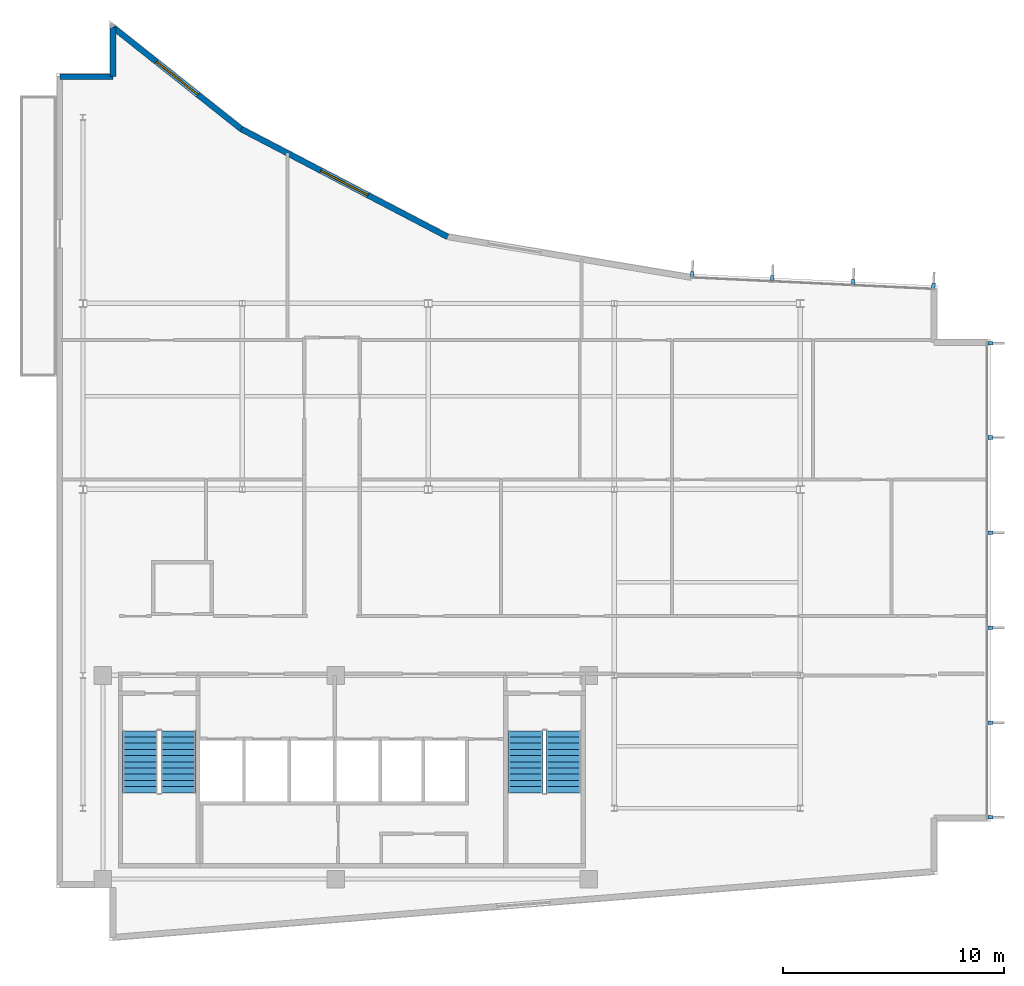
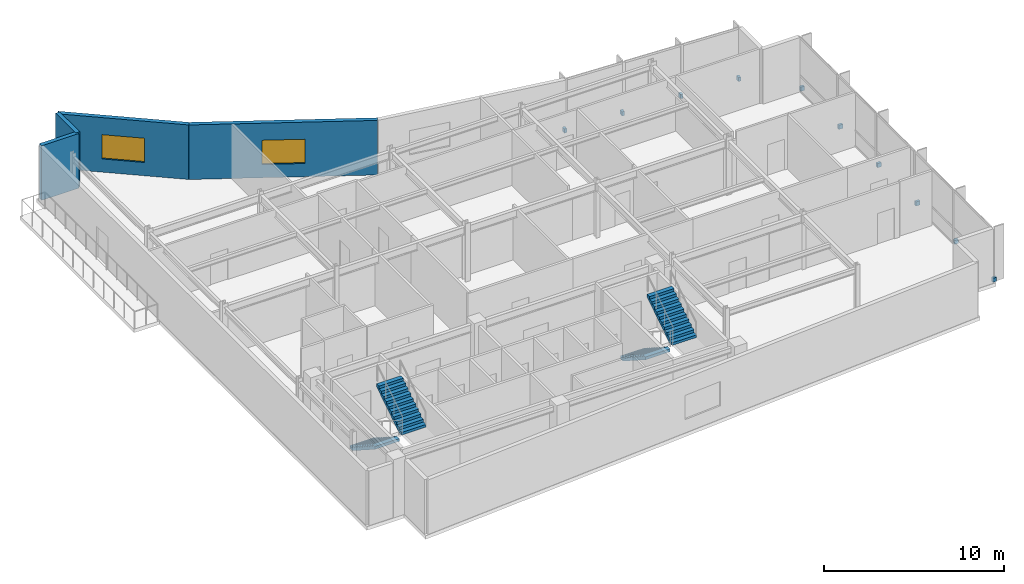
# One storey, part 13 of 16: 10 discrete accessories, 4 stair flights, 4 walls, 2 windows, 2 openings, 2 elements without a shape of their own.
"""IFC4 building model written with IfcOpenShell, lengths in metres."""

from ifc_helpers import new_model, si_unit, direction, frame, frame_2d, origin, origin_2d, place, context, subcontext, project, spatial, polyline, rectangle, outline, extrude, material, layer, layer_set, type_object, element, fill, aggregate, save


model = new_model("IFC4")

# Units and contexts
model_context = context("Model", 3, precision=1e-05, world=origin(), true_north=direction((0.0, 1.0)))
body_context = subcontext(model_context, "Body", "Model", "MODEL_VIEW")
ifc_project = project(units=[si_unit("LENGTHUNIT", "METRE"), si_unit("AREAUNIT", "SQUARE_METRE"), si_unit("VOLUMEUNIT", "CUBIC_METRE"), si_unit("PLANEANGLEUNIT", "RADIAN"), si_unit("MASSUNIT", "GRAM", prefix="KILO")], contexts=[model_context])

# Site, building, storey
site_placement = place(None, origin())
site = spatial("IfcSite", under=ifc_project, at=site_placement, CompositionType="ELEMENT")
building_placement = place(site_placement, origin())
building = spatial("IfcBuilding", under=site, at=building_placement, Name="Varnakote Quay Hospital", CompositionType="ELEMENT")
storey_placement = place(building_placement, frame((0.0, 0.0, 264.449951171875)))
storey = spatial("IfcBuildingStorey", under=building, at=storey_placement, Name="L65", CompositionType="ELEMENT", Elevation=264.449951171875)

# Wall, opening, window
ifc_material_1 = material(Name="Precast concrete N50 (f'c 50 MPa)", Category="concrete")
ifc_layer_1 = layer(ifc_material_1, 0.260009765625)
ifc_layer_set_1 = layer_set([ifc_layer_1], Name="Precast concrete N50 (f'c 50 MPa)")
wall_type = type_object("IfcWallType", Name="WL-EXT-BRICK-260", PredefinedType="STANDARD", material=ifc_layer_set_1)
wall_1_placement = place(storey_placement, frame((17.672607421875, 31.806396484375, 0.0), z_axis=(0.0, 0.0, 1.0), x_axis=(-0.886426635565, 0.462869117311, 0.0)))
wall_1 = element("IfcWall", 1, at=wall_1_placement, inside=storey, type_object=wall_type, Name="L65 Brick-Faced Precast Exterior Wall", PredefinedType="STANDARD", context=body_context, shape_type="SweptSolid", body=[
    extrude(rectangle(XDim=10.51416015625, YDim=0.260009765625, at=frame_2d((5.257080078125, 0.0))), origin(), (0.0, 0.0, 1.0), 3.7099609375),
])
opening_1_placement = place(wall_1_placement, frame((4.05712890625, 0.0, 0.89990234375)))
opening_1 = element("IfcOpeningElement", 2, at=opening_1_placement, cuts=wall_1, Name="Opening WN-0264", PredefinedType="OPENING", context=body_context, shape_type="SweptSolid", body=[
    extrude(rectangle(XDim=2.39990234375, YDim=1.64990234375, at=frame_2d((1.199951171875, 0.824951171875))), frame((0.0, 0.139892578125, 0.0), z_axis=(0.0, -1.0, 0.0), x_axis=(1.0, 0.0, 0.0)), (0.0, 0.0, 1.0), 0.280029296875),
])
ifc_material_2 = material(Name="Double-glazed low-E solar glass", Category="glass")
window_type = type_object("IfcWindowType", Name="WIN-CLIN-2400x1650", PartitioningType="SINGLE_PANEL", PredefinedType="WINDOW", material=ifc_material_2)
window_1_placement = place(opening_1_placement, origin())
window_1 = element("IfcWindow", 3, at=window_1_placement, inside=storey, type_object=window_type, Name="L65 Solar-Control Clinical Window", OverallHeight=1.64990234375, OverallWidth=2.39990234375, PartitioningType="SINGLE_PANEL", PredefinedType="WINDOW", context=body_context, shape_type="SweptSolid", body=[
    extrude(rectangle(XDim=2.39990234375, YDim=1.64990234375, at=frame_2d((1.199951171875, 0.824951171875))), frame((0.0, 0.030029296875, 0.0), z_axis=(0.0, -1.0, 0.0), x_axis=(1.0, 0.0, 0.0)), (0.0, 0.0, 1.0), 0.06005859375),
])
fill(opening_1, window_1)

wall_2_placement = place(storey_placement, frame((8.3525390625, 36.673095703125, 0.0), z_axis=(0.0, 0.0, 1.0), x_axis=(-0.783387911746, 0.621533088203, 0.0)))
wall_2 = element("IfcWall", 4, at=wall_2_placement, inside=storey, type_object=wall_type, Name="L65 Brick-Faced Precast Exterior Wall", PredefinedType="STANDARD", context=body_context, shape_type="SweptSolid", body=[
    extrude(rectangle(XDim=7.39404296875, YDim=0.260009765625, at=frame_2d((3.697021484375, 0.0))), origin(), (0.0, 0.0, 1.0), 3.7099609375),
])
opening_2_placement = place(wall_2_placement, frame((2.4970703125, 0.0, 0.89990234375)))
opening_2 = element("IfcOpeningElement", 5, at=opening_2_placement, cuts=wall_2, Name="Opening WN-0265", PredefinedType="OPENING", context=body_context, shape_type="SweptSolid", body=[
    extrude(rectangle(XDim=2.39990234375, YDim=1.64990234375, at=frame_2d((1.199951171875, 0.824951171875))), frame((0.0, 0.139892578125, 0.0), z_axis=(0.0, -1.0, 0.0), x_axis=(1.0, 0.0, 0.0)), (0.0, 0.0, 1.0), 0.280029296875),
])
window_2_placement = place(opening_2_placement, origin())
window_2 = element("IfcWindow", 6, at=window_2_placement, inside=storey, type_object=window_type, Name="L65 Solar-Control Clinical Window", OverallHeight=1.64990234375, OverallWidth=2.39990234375, PartitioningType="SINGLE_PANEL", PredefinedType="WINDOW", context=body_context, shape_type="SweptSolid", body=[
    extrude(rectangle(XDim=2.39990234375, YDim=1.64990234375, at=frame_2d((1.199951171875, 0.824951171875))), frame((0.0, 0.030029296875, 0.0), z_axis=(0.0, -1.0, 0.0), x_axis=(1.0, 0.0, 0.0)), (0.0, 0.0, 1.0), 0.06005859375),
])
fill(opening_2, window_2)

# Walls
wall_3_placement = place(storey_placement, frame((2.56005859375, 41.268798828125, 0.0), z_axis=(0.0, 0.0, 1.0), x_axis=(0.0, -1.0, 0.0)))
element("IfcWall", 7, at=wall_3_placement, inside=storey, type_object=wall_type, Name="L65 Brick-Faced Precast Exterior Wall", PredefinedType="STANDARD", context=body_context, shape_type="SweptSolid", body=[
    extrude(rectangle(XDim=2.228759765625, YDim=0.260009765625, at=frame_2d((1.1142578125, 0.0))), origin(), (0.0, 0.0, 1.0), 3.7099609375),
])
wall_4_placement = place(storey_placement, frame((2.56005859375, 39.0400390625, 0.0), z_axis=(0.0, 0.0, 1.0), x_axis=(-1.0, 0.0, 0.0)))
element("IfcWall", 8, at=wall_4_placement, inside=storey, type_object=wall_type, Name="L65 Brick-Faced Precast Exterior Wall", PredefinedType="STANDARD", context=body_context, shape_type="SweptSolid", body=[
    extrude(rectangle(XDim=2.400146484375, YDim=0.260009765625, at=frame_2d((1.2001953125, 0.0))), origin(), (0.0, 0.0, 1.0), 3.7099609375),
])

# Stair, stair flights
ifc_material_3 = material(Name="Concrete N40 (f'c 40 MPa)", Category="concrete")
stair_type = type_object("IfcStairType", Name="STR-CORE-1580", PredefinedType="HALF_TURN_STAIR", material=ifc_material_3)
stair_1_placement = place(storey_placement, origin())
stair_1 = element("IfcStair", 9, at=stair_1_placement, inside=storey, type_object=stair_type, Name="L65 Fire-Isolated Exit Stair ST-01", PredefinedType="HALF_TURN_STAIR")
ifc_material_4 = material(Name="Concrete N40 (f'c 40 MPa)", Category="concrete")
ifc_layer_2 = layer(ifc_material_4, 0.159912109375)
ifc_layer_set_2 = layer_set([ifc_layer_2], Name="Concrete N40 (f'c 40 MPa)")
stair_flight_type = type_object("IfcStairFlightType", Name="FLT-CORE-1580", PredefinedType="STRAIGHT", material=ifc_layer_set_2)
stair_flight_1_placement = place(storey_placement, frame((3.7900390625, 9.5, 0.0), z_axis=(0.0, 0.0, 1.0), x_axis=(0.0, -1.0, 0.0)))
stair_flight_1 = element("IfcStairFlight", 10, at=stair_flight_1_placement, type_object=stair_flight_type, Name="ST-01 flight 1", NumberOfRisers=11, NumberOfTreads=10, PredefinedType="STRAIGHT", RiserHeight=0.179545455, TreadLength=0.28, context=body_context, shape_type="SweptSolid", body=[
    extrude(outline(polyline([(0.0, 0.0), (0.0, 0.179443359375), (0.280029296875, 0.179443359375), (0.280029296875, 0.359130859375), (0.56005859375, 0.359130859375), (0.56005859375, 0.53857421875), (0.840087890625, 0.53857421875), (0.840087890625, 0.71826171875), (1.1201171875, 0.71826171875), (1.1201171875, 0.897705078125), (1.39990234375, 0.897705078125), (1.39990234375, 1.077392578125), (1.679931640625, 1.077392578125), (1.679931640625, 1.2568359375), (1.9599609375, 1.2568359375), (1.9599609375, 1.436279296875), (2.239990234375, 1.436279296875), (2.239990234375, 1.615966796875), (2.52001953125, 1.615966796875), (2.52001953125, 1.79541015625), (2.800048828125, 1.79541015625), (2.800048828125, 1.97509765625), (2.800048828125, 1.60546875), (0.296142578125, 0.0), (0.0, 0.0)])), frame((0.0, 0.7900390625, 0.0), z_axis=(0.0, -1.0, 0.0), x_axis=(1.0, 0.0, 0.0)), (0.0, 0.0, 1.0), 1.580078125),
])
stair_flight_2_placement = place(storey_placement, frame((5.510009765625, 6.699951171875, 1.97509765625), z_axis=(0.0, 0.0, 1.0), x_axis=(0.0, 1.0, 0.0)))
stair_flight_2 = element("IfcStairFlight", 11, at=stair_flight_2_placement, type_object=stair_flight_type, Name="ST-01 flight 2", NumberOfRisers=11, NumberOfTreads=10, PredefinedType="STRAIGHT", RiserHeight=0.179545455, TreadLength=0.28, context=body_context, shape_type="SweptSolid", body=[
    extrude(outline(polyline([(0.0, 0.0), (0.0, 0.179443359375), (0.280029296875, 0.179443359375), (0.280029296875, 0.359130859375), (0.56005859375, 0.359130859375), (0.56005859375, 0.53857421875), (0.840087890625, 0.53857421875), (0.840087890625, 0.71826171875), (1.1201171875, 0.71826171875), (1.1201171875, 0.897705078125), (1.39990234375, 0.897705078125), (1.39990234375, 1.077392578125), (1.679931640625, 1.077392578125), (1.679931640625, 1.2568359375), (1.9599609375, 1.2568359375), (1.9599609375, 1.436279296875), (2.239990234375, 1.436279296875), (2.239990234375, 1.615966796875), (2.52001953125, 1.615966796875), (2.52001953125, 1.79541015625), (2.800048828125, 1.79541015625), (2.800048828125, 1.97509765625), (2.800048828125, 1.60546875), (0.296142578125, 0.0), (0.0, 0.0)])), frame((0.0, 0.7900390625, 0.0), z_axis=(0.0, -1.0, 0.0), x_axis=(1.0, 0.0, 0.0)), (0.0, 0.0, 1.0), 1.580078125),
])
aggregate(stair_1, [stair_flight_1, stair_flight_2])

stair_2_placement = place(storey_placement, origin())
stair_2 = element("IfcStair", 12, at=stair_2_placement, inside=storey, type_object=stair_type, Name="L65 Fire-Isolated Exit Stair ST-02", PredefinedType="HALF_TURN_STAIR")
stair_flight_3_placement = place(storey_placement, frame((21.18994140625, 9.5, 0.0), z_axis=(0.0, 0.0, 1.0), x_axis=(0.0, -1.0, 0.0)))
stair_flight_3 = element("IfcStairFlight", 13, at=stair_flight_3_placement, type_object=stair_flight_type, Name="ST-02 flight 1", NumberOfRisers=11, NumberOfTreads=10, PredefinedType="STRAIGHT", RiserHeight=0.179545455, TreadLength=0.28, context=body_context, shape_type="SweptSolid", body=[
    extrude(outline(polyline([(0.0, 0.0), (0.0, 0.179443359375), (0.280029296875, 0.179443359375), (0.280029296875, 0.359130859375), (0.56005859375, 0.359130859375), (0.56005859375, 0.53857421875), (0.840087890625, 0.53857421875), (0.840087890625, 0.71826171875), (1.1201171875, 0.71826171875), (1.1201171875, 0.897705078125), (1.39990234375, 0.897705078125), (1.39990234375, 1.077392578125), (1.679931640625, 1.077392578125), (1.679931640625, 1.2568359375), (1.9599609375, 1.2568359375), (1.9599609375, 1.436279296875), (2.239990234375, 1.436279296875), (2.239990234375, 1.615966796875), (2.52001953125, 1.615966796875), (2.52001953125, 1.79541015625), (2.800048828125, 1.79541015625), (2.800048828125, 1.97509765625), (2.800048828125, 1.60546875), (0.296142578125, 0.0), (0.0, 0.0)])), frame((0.0, 0.7900390625, 0.0), z_axis=(0.0, -1.0, 0.0), x_axis=(1.0, 0.0, 0.0)), (0.0, 0.0, 1.0), 1.580078125),
])
stair_flight_4_placement = place(storey_placement, frame((22.909912109375, 6.699951171875, 1.97509765625), z_axis=(0.0, 0.0, 1.0), x_axis=(0.0, 1.0, 0.0)))
stair_flight_4 = element("IfcStairFlight", 14, at=stair_flight_4_placement, type_object=stair_flight_type, Name="ST-02 flight 2", NumberOfRisers=11, NumberOfTreads=10, PredefinedType="STRAIGHT", RiserHeight=0.179545455, TreadLength=0.28, context=body_context, shape_type="SweptSolid", body=[
    extrude(outline(polyline([(0.0, 0.0), (0.0, 0.179443359375), (0.280029296875, 0.179443359375), (0.280029296875, 0.359130859375), (0.56005859375, 0.359130859375), (0.56005859375, 0.53857421875), (0.840087890625, 0.53857421875), (0.840087890625, 0.71826171875), (1.1201171875, 0.71826171875), (1.1201171875, 0.897705078125), (1.39990234375, 0.897705078125), (1.39990234375, 1.077392578125), (1.679931640625, 1.077392578125), (1.679931640625, 1.2568359375), (1.9599609375, 1.2568359375), (1.9599609375, 1.436279296875), (2.239990234375, 1.436279296875), (2.239990234375, 1.615966796875), (2.52001953125, 1.615966796875), (2.52001953125, 1.79541015625), (2.800048828125, 1.79541015625), (2.800048828125, 1.97509765625), (2.800048828125, 1.60546875), (0.296142578125, 0.0), (0.0, 0.0)])), frame((0.0, 0.7900390625, 0.0), z_axis=(0.0, -1.0, 0.0), x_axis=(1.0, 0.0, 0.0)), (0.0, 0.0, 1.0), 1.580078125),
])
aggregate(stair_2, [stair_flight_3, stair_flight_4])

# Discrete accessories
ifc_material_5 = material(Name="Anodised aluminium 6063-T6 Bronze", Category="aluminium")
discrete_accessory_type = type_object("IfcDiscreteAccessoryType", Name="ACC-FIN-BRACKET-180", PredefinedType="BRACKET", material=ifc_material_5)
for number, where, z_axis, x_axis, name in (
    (15, (42.18994140625, 5.592529296875, 0.0), (0.0, 0.0, 1.0), (0.0, 1.0, 0.0), "L65 Curtain Wall Fin Fixing Bracket"),
    (16, (42.18994140625, 9.85595703125, 0.0), (0.0, 0.0, 1.0), (0.0, 1.0, 0.0), "L65 Curtain Wall Fin Fixing Bracket"),
    (17, (42.18994140625, 14.152099609375, 0.0), (0.0, 0.0, 1.0), (0.0, 1.0, 0.0), "L65 Curtain Wall Fin Fixing Bracket"),
    (18, (42.18994140625, 18.447998046875, 0.0), (0.0, 0.0, 1.0), (0.0, 1.0, 0.0), "L65 Curtain Wall Fin Fixing Bracket"),
    (19, (42.18994140625, 22.743896484375, 0.0), (0.0, 0.0, 1.0), (0.0, 1.0, 0.0), "L65 Curtain Wall Fin Fixing Bracket"),
    (20, (42.18994140625, 27.007568359375, 0.0), (0.0, 0.0, 1.0), (0.0, 1.0, 0.0), "L65 Curtain Wall Fin Fixing Bracket"),
    (21, (39.61474609375, 29.598876953125, 0.0), (0.0, 0.0, 1.0), (-0.998873370853, 0.047455126176, 0.0), "L65 Curtain Wall Fin Fixing Bracket"),
    (22, (35.993408203125, 29.77099609375, 0.0), (0.0, 0.0, 1.0), (-0.998873370853, 0.047455126176, 0.0), "L65 Curtain Wall Fin Fixing Bracket"),
    (23, (32.33984375, 29.944580078125, 0.0), (0.0, 0.0, 1.0), (-0.998873370853, 0.047455126176, 0.0), "L65 Curtain Wall Fin Fixing Bracket"),
    (24, (28.718505859375, 30.116943359375, 0.0), (0.0, 0.0, 1.0), (-0.998873370853, 0.047455126176, 0.0), "L65 Curtain Wall Fin Fixing Bracket"),
):
    element("IfcDiscreteAccessory", number, at=place(storey_placement, frame(where, z_axis=z_axis, x_axis=x_axis)), inside=storey, type_object=discrete_accessory_type, Name=name, PredefinedType="BRACKET", context=body_context, shape_type="SweptSolid", body=[
        extrude(rectangle(XDim=0.159912109375, YDim=0.239990234375, at=origin_2d()), origin(), (0.0, 0.0, 1.0), 0.280029296875),
    ])

save(model, "model.ifc")
